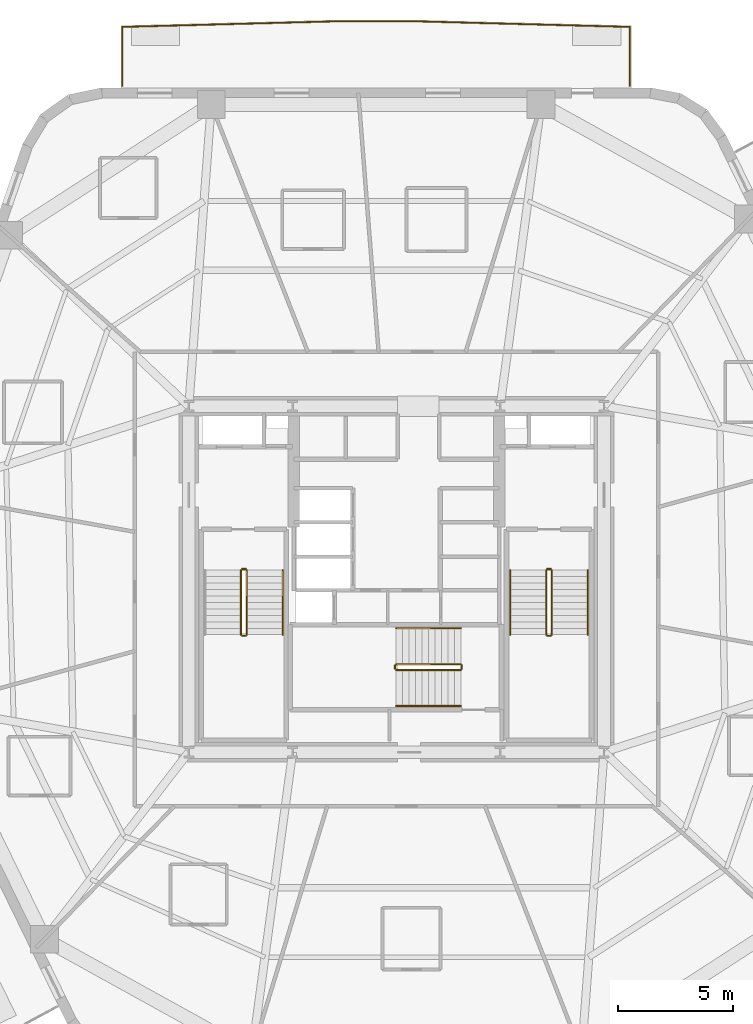
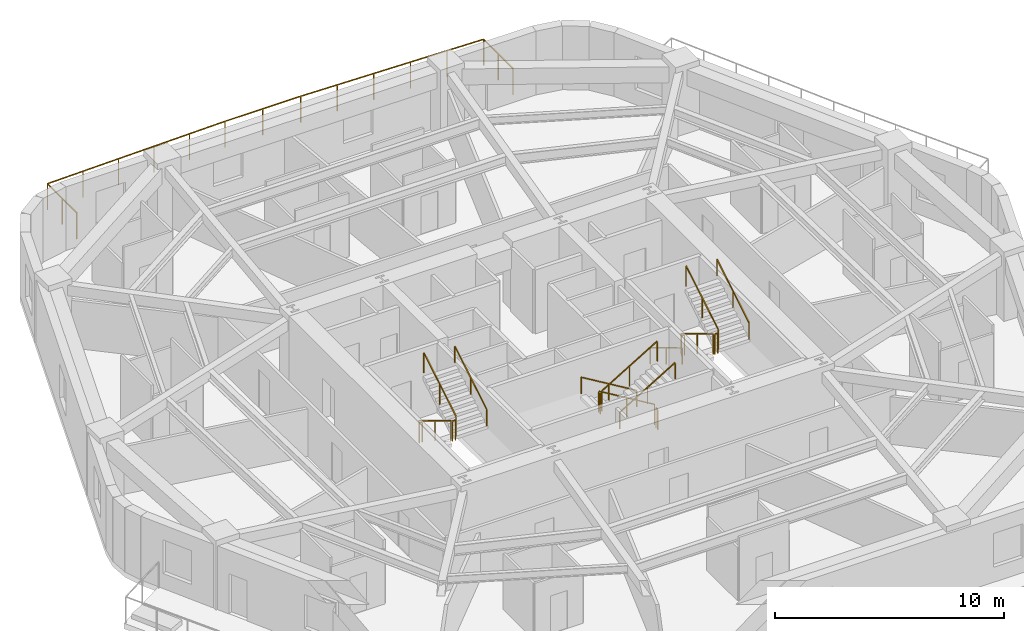
# One storey, part 8 of 9: 18 railings.
"""IFC4 building model written with IfcOpenShell, lengths in metres."""

from ifc_helpers import new_model, si_unit, direction, frame, origin, origin_2d, place, context, subcontext, project, spatial, rectangle, extrude, material, layer, layer_set, type_object, element, save


model = new_model("IFC4")

# Units and contexts
model_context = context("Model", 3, precision=1e-05, world=origin(), true_north=direction((0.0, 1.0)))
body_context = subcontext(model_context, "Body", "Model", "MODEL_VIEW")
ifc_project = project(units=[si_unit("LENGTHUNIT", "METRE"), si_unit("AREAUNIT", "SQUARE_METRE"), si_unit("VOLUMEUNIT", "CUBIC_METRE"), si_unit("PLANEANGLEUNIT", "RADIAN"), si_unit("MASSUNIT", "GRAM", prefix="KILO")], contexts=[model_context])

# Site, building, storey
site_placement = place(None, origin())
site = spatial("IfcSite", under=ifc_project, at=site_placement, CompositionType="ELEMENT")
building_placement = place(site_placement, origin())
building = spatial("IfcBuilding", under=site, at=building_placement, Name="Kilnhurst Terrace Hotel", CompositionType="ELEMENT")
storey_placement = place(building_placement, frame((0.0, 0.0, 124.699951171875)))
storey = spatial("IfcBuildingStorey", under=building, at=storey_placement, Name="L30", CompositionType="ELEMENT", Elevation=124.699951171875)

# Railings
ifc_material_1 = material(Name="Laminated SentryGlas and Stainless Steel AISI 316L Balustrade", Category="steel")
ifc_layer_1 = layer(ifc_material_1, 0.070068359375, Name="Laminated SentryGlas and Stainless Steel AISI 316L Balustrade")
ifc_layer_set_1 = layer_set([ifc_layer_1], Name="Laminated SentryGlas and Stainless Steel AISI 316L Balustrade")
railing_type_1 = type_object("IfcRailingType", Name="RLG-BAL-1420", PredefinedType="BALUSTRADE", material=ifc_layer_set_1)
railing_1_placement = place(storey_placement, frame((-11.8837890625, 21.3798828125, 0.0)))
element("IfcRailing", 1, at=railing_1_placement, inside=storey, type_object=railing_type_1, Name="L30 Exterior Terrace Guardrail BAL-L1B.1", PredefinedType="BALUSTRADE", context=body_context, shape_type="SweptSolid", body=[
    extrude(rectangle(XDim=0.048095703125, YDim=0.048095703125, at=origin_2d()), frame((0.0, 0.0, 1.39599609375), z_axis=(0.0, 1.0, 0.0), x_axis=(-1.0, 0.0, 0.0)), (0.0, 0.0, 1.0), 2.561767578125),
    extrude(rectangle(XDim=0.048095703125, YDim=0.048095703125, at=origin_2d()), frame((0.0, 2.561767578125, 1.39599609375), z_axis=(0.999657105501, 0.026185328367, 0.0), x_axis=(-0.026185328367, 0.999657105501, 0.0)), (0.0, 0.0, 1.0), 9.099853515625),
    extrude(rectangle(XDim=0.048095703125, YDim=0.048095703125, at=origin_2d()), frame((9.0966796875, 2.800048828125, 1.39599609375), z_axis=(1.0, 0.0, 0.0), x_axis=(0.0, 1.0, 0.0)), (0.0, 0.0, 1.0), 3.8134765625),
    extrude(rectangle(XDim=0.048095703125, YDim=0.048095703125, at=origin_2d()), frame((12.91015625, 2.800048828125, 1.39599609375), z_axis=(0.999657105501, -0.026185328367, 0.0), x_axis=(0.026185328367, 0.999657105501, 0.0)), (0.0, 0.0, 1.0), 9.099853515625),
    extrude(rectangle(XDim=0.048095703125, YDim=0.048095703125, at=origin_2d()), frame((22.0068359375, 2.561767578125, 1.39599609375), z_axis=(0.0, -1.0, 0.0), x_axis=(1.0, 0.0, 0.0)), (0.0, 0.0, 1.0), 2.561767578125),
    extrude(rectangle(XDim=0.0419921875, YDim=0.0419921875, at=origin_2d()), origin(), (0.0, 0.0, 1.0), 1.371826171875),
    extrude(rectangle(XDim=0.0419921875, YDim=0.0419921875, at=origin_2d()), frame((0.0, 1.28076171875, 0.0)), (0.0, 0.0, 1.0), 1.371826171875),
    extrude(rectangle(XDim=0.0419921875, YDim=0.0419921875, at=origin_2d()), frame((0.0, 2.561767578125, 0.0)), (0.0, 0.0, 1.0), 1.371826171875),
    extrude(rectangle(XDim=0.0419921875, YDim=0.0419921875, at=origin_2d()), frame((1.8193359375, 2.609375, 0.0)), (0.0, 0.0, 1.0), 1.371826171875),
    extrude(rectangle(XDim=0.0419921875, YDim=0.0419921875, at=origin_2d()), frame((3.638671875, 2.656982421875, 0.0)), (0.0, 0.0, 1.0), 1.371826171875),
    extrude(rectangle(XDim=0.0419921875, YDim=0.0419921875, at=origin_2d()), frame((5.4580078125, 2.704833984375, 0.0)), (0.0, 0.0, 1.0), 1.371826171875),
    extrude(rectangle(XDim=0.0419921875, YDim=0.0419921875, at=origin_2d()), frame((7.27734375, 2.75244140625, 0.0)), (0.0, 0.0, 1.0), 1.371826171875),
    extrude(rectangle(XDim=0.0419921875, YDim=0.0419921875, at=origin_2d()), frame((9.0966796875, 2.800048828125, 0.0)), (0.0, 0.0, 1.0), 1.371826171875),
    extrude(rectangle(XDim=0.0419921875, YDim=0.0419921875, at=origin_2d()), frame((11.00341796875, 2.800048828125, 0.0)), (0.0, 0.0, 1.0), 1.371826171875),
    extrude(rectangle(XDim=0.0419921875, YDim=0.0419921875, at=origin_2d()), frame((12.91015625, 2.800048828125, 0.0)), (0.0, 0.0, 1.0), 1.371826171875),
    extrude(rectangle(XDim=0.0419921875, YDim=0.0419921875, at=origin_2d()), frame((14.7294921875, 2.75244140625, 0.0)), (0.0, 0.0, 1.0), 1.371826171875),
    extrude(rectangle(XDim=0.0419921875, YDim=0.0419921875, at=origin_2d()), frame((16.548828125, 2.704833984375, 0.0)), (0.0, 0.0, 1.0), 1.371826171875),
    extrude(rectangle(XDim=0.0419921875, YDim=0.0419921875, at=origin_2d()), frame((18.3681640625, 2.656982421875, 0.0)), (0.0, 0.0, 1.0), 1.371826171875),
    extrude(rectangle(XDim=0.0419921875, YDim=0.0419921875, at=origin_2d()), frame((20.1875, 2.609375, 0.0)), (0.0, 0.0, 1.0), 1.371826171875),
    extrude(rectangle(XDim=0.0419921875, YDim=0.0419921875, at=origin_2d()), frame((22.0068359375, 2.561767578125, 0.0)), (0.0, 0.0, 1.0), 1.371826171875),
    extrude(rectangle(XDim=0.0419921875, YDim=0.0419921875, at=origin_2d()), frame((22.0068359375, 1.28076171875, 0.0)), (0.0, 0.0, 1.0), 1.371826171875),
    extrude(rectangle(XDim=0.0419921875, YDim=0.0419921875, at=origin_2d()), frame((22.0068359375, 0.0, 0.0)), (0.0, 0.0, 1.0), 1.371826171875),
])
ifc_material_2 = material(Name="Powder-Coated Steel ASTM A500 Grade B", Category="steel")
ifc_layer_2 = layer(ifc_material_2, 0.050048828125, Name="Powder-Coated Steel ASTM A500 Grade B")
ifc_layer_set_2 = layer_set([ifc_layer_2], Name="Powder-Coated Steel ASTM A500 Grade B")
railing_type_2 = type_object("IfcRailingType", Name="RLG-ST-GRD-1100", PredefinedType="GUARDRAIL", material=ifc_layer_set_2)
railing_2_placement = place(storey_placement, frame((-6.739990234375, 0.389892578125, 0.168212890625)))
element("IfcRailing", 2, at=railing_2_placement, inside=storey, type_object=railing_type_2, Name="L30 ST-1 stair guard 1", PredefinedType="GUARDRAIL", context=body_context, shape_type="SweptSolid", body=[
    extrude(rectangle(XDim=0.048095703125, YDim=0.048095703125, at=origin_2d()), frame((0.0, 0.0, 1.076171875), z_axis=(0.0, -0.857222391501, 0.514946377315), x_axis=(1.0, 0.0, 0.0)), (0.0, 0.0, 1.0), 3.26611328125),
    extrude(rectangle(XDim=0.0419921875, YDim=0.0419921875, at=origin_2d()), origin(), (0.0, 0.0, 1.0), 1.052001953125),
    extrude(rectangle(XDim=0.0419921875, YDim=0.0419921875, at=origin_2d()), frame((0.0, -1.39990234375, 0.8408203125)), (0.0, 0.0, 1.0), 1.052001953125),
    extrude(rectangle(XDim=0.0419921875, YDim=0.0419921875, at=origin_2d()), frame((0.0, -2.7998046875, 1.681884765625)), (0.0, 0.0, 1.0), 1.052001953125),
])
railing_3_placement = place(storey_placement, frame((-6.68994140625, -2.4599609375, 1.85009765625)))
element("IfcRailing", 3, at=railing_3_placement, inside=storey, type_object=railing_type_2, Name="L30 ST-1 stair guard 2", PredefinedType="GUARDRAIL", context=body_context, shape_type="SweptSolid", body=[
    extrude(rectangle(XDim=0.048095703125, YDim=0.048095703125, at=origin_2d()), frame((0.0, 0.0, 1.076171875), z_axis=(1.0, 0.0, 0.0), x_axis=(0.0, 1.0, 0.0)), (0.0, 0.0, 1.0), 0.14990234375),
    extrude(rectangle(XDim=0.0419921875, YDim=0.0419921875, at=origin_2d()), origin(), (0.0, 0.0, 1.0), 1.052001953125),
    extrude(rectangle(XDim=0.0419921875, YDim=0.0419921875, at=origin_2d()), frame((0.14990234375, 0.0, 0.0)), (0.0, 0.0, 1.0), 1.052001953125),
])
railing_4_placement = place(storey_placement, frame((-6.489990234375, -2.409912109375, 2.018310546875)))
element("IfcRailing", 4, at=railing_4_placement, inside=storey, type_object=railing_type_2, Name="L30 ST-1 stair guard 3", PredefinedType="GUARDRAIL", context=body_context, shape_type="SweptSolid", body=[
    extrude(rectangle(XDim=0.048095703125, YDim=0.048095703125, at=origin_2d()), frame((0.0, 0.0, 1.076171875), z_axis=(0.0, 0.857255387014, 0.514891446264), x_axis=(-1.0, 0.0, 0.0)), (0.0, 0.0, 1.0), 3.26611328125),
    extrude(rectangle(XDim=0.0419921875, YDim=0.0419921875, at=origin_2d()), origin(), (0.0, 0.0, 1.0), 1.052001953125),
    extrude(rectangle(XDim=0.0419921875, YDim=0.0419921875, at=origin_2d()), frame((0.0, 1.39990234375, 0.8408203125)), (0.0, 0.0, 1.0), 1.052001953125),
    extrude(rectangle(XDim=0.0419921875, YDim=0.0419921875, at=origin_2d()), frame((0.0, 2.7998046875, 1.681640625)), (0.0, 0.0, 1.0), 1.052001953125),
])
railing_5_placement = place(storey_placement, frame((-6.68994140625, 0.43994140625, 0.0)))
element("IfcRailing", 5, at=railing_5_placement, inside=storey, type_object=railing_type_2, Name="L30 ST-1 stair guard 4", PredefinedType="GUARDRAIL", context=body_context, shape_type="SweptSolid", body=[
    extrude(rectangle(XDim=0.048095703125, YDim=0.048095703125, at=origin_2d()), frame((0.0, 0.0, 1.076171875), z_axis=(1.0, 0.0, 0.0), x_axis=(0.0, 1.0, 0.0)), (0.0, 0.0, 1.0), 0.14990234375),
    extrude(rectangle(XDim=0.0419921875, YDim=0.0419921875, at=origin_2d()), origin(), (0.0, 0.0, 1.0), 1.052001953125),
    extrude(rectangle(XDim=0.0419921875, YDim=0.0419921875, at=origin_2d()), frame((0.14990234375, 0.0, 0.0)), (0.0, 0.0, 1.0), 1.052001953125),
])
railing_6_placement = place(storey_placement, frame((6.489990234375, 0.389892578125, 0.168212890625)))
element("IfcRailing", 6, at=railing_6_placement, inside=storey, type_object=railing_type_2, Name="L30 ST-2 stair guard 1", PredefinedType="GUARDRAIL", context=body_context, shape_type="SweptSolid", body=[
    extrude(rectangle(XDim=0.048095703125, YDim=0.048095703125, at=origin_2d()), frame((0.0, 0.0, 1.076171875), z_axis=(0.0, -0.857222391501, 0.514946377315), x_axis=(1.0, 0.0, 0.0)), (0.0, 0.0, 1.0), 3.26611328125),
    extrude(rectangle(XDim=0.0419921875, YDim=0.0419921875, at=origin_2d()), origin(), (0.0, 0.0, 1.0), 1.052001953125),
    extrude(rectangle(XDim=0.0419921875, YDim=0.0419921875, at=origin_2d()), frame((0.0, -1.39990234375, 0.8408203125)), (0.0, 0.0, 1.0), 1.052001953125),
    extrude(rectangle(XDim=0.0419921875, YDim=0.0419921875, at=origin_2d()), frame((0.0, -2.7998046875, 1.681884765625)), (0.0, 0.0, 1.0), 1.052001953125),
])
railing_7_placement = place(storey_placement, frame((6.5400390625, -2.4599609375, 1.85009765625)))
element("IfcRailing", 7, at=railing_7_placement, inside=storey, type_object=railing_type_2, Name="L30 ST-2 stair guard 2", PredefinedType="GUARDRAIL", context=body_context, shape_type="SweptSolid", body=[
    extrude(rectangle(XDim=0.048095703125, YDim=0.048095703125, at=origin_2d()), frame((0.0, 0.0, 1.076171875), z_axis=(1.0, 0.0, 0.0), x_axis=(0.0, 1.0, 0.0)), (0.0, 0.0, 1.0), 0.14990234375),
    extrude(rectangle(XDim=0.0419921875, YDim=0.0419921875, at=origin_2d()), origin(), (0.0, 0.0, 1.0), 1.052001953125),
    extrude(rectangle(XDim=0.0419921875, YDim=0.0419921875, at=origin_2d()), frame((0.14990234375, 0.0, 0.0)), (0.0, 0.0, 1.0), 1.052001953125),
])
railing_8_placement = place(storey_placement, frame((6.739990234375, -2.409912109375, 2.018310546875)))
element("IfcRailing", 8, at=railing_8_placement, inside=storey, type_object=railing_type_2, Name="L30 ST-2 stair guard 3", PredefinedType="GUARDRAIL", context=body_context, shape_type="SweptSolid", body=[
    extrude(rectangle(XDim=0.048095703125, YDim=0.048095703125, at=origin_2d()), frame((0.0, 0.0, 1.076171875), z_axis=(0.0, 0.857255387014, 0.514891446264), x_axis=(-1.0, 0.0, 0.0)), (0.0, 0.0, 1.0), 3.26611328125),
    extrude(rectangle(XDim=0.0419921875, YDim=0.0419921875, at=origin_2d()), origin(), (0.0, 0.0, 1.0), 1.052001953125),
    extrude(rectangle(XDim=0.0419921875, YDim=0.0419921875, at=origin_2d()), frame((0.0, 1.39990234375, 0.8408203125)), (0.0, 0.0, 1.0), 1.052001953125),
    extrude(rectangle(XDim=0.0419921875, YDim=0.0419921875, at=origin_2d()), frame((0.0, 2.7998046875, 1.681640625)), (0.0, 0.0, 1.0), 1.052001953125),
])
railing_9_placement = place(storey_placement, frame((6.5400390625, 0.43994140625, 0.0)))
element("IfcRailing", 9, at=railing_9_placement, inside=storey, type_object=railing_type_2, Name="L30 ST-2 stair guard 4", PredefinedType="GUARDRAIL", context=body_context, shape_type="SweptSolid", body=[
    extrude(rectangle(XDim=0.048095703125, YDim=0.048095703125, at=origin_2d()), frame((0.0, 0.0, 1.076171875), z_axis=(1.0, 0.0, 0.0), x_axis=(0.0, 1.0, 0.0)), (0.0, 0.0, 1.0), 0.14990234375),
    extrude(rectangle(XDim=0.0419921875, YDim=0.0419921875, at=origin_2d()), origin(), (0.0, 0.0, 1.0), 1.052001953125),
    extrude(rectangle(XDim=0.0419921875, YDim=0.0419921875, at=origin_2d()), frame((0.14990234375, 0.0, 0.0)), (0.0, 0.0, 1.0), 1.052001953125),
])
railing_10_placement = place(storey_placement, frame((2.7900390625, -3.68994140625, 0.168212890625)))
element("IfcRailing", 10, at=railing_10_placement, inside=storey, type_object=railing_type_2, Name="L30 ST-3 stair guard 1", PredefinedType="GUARDRAIL", context=body_context, shape_type="SweptSolid", body=[
    extrude(rectangle(XDim=0.048095703125, YDim=0.048095703125, at=origin_2d()), frame((0.0, 0.0, 1.076171875), z_axis=(-0.857242210791, 0.0, 0.514913383045), x_axis=(0.0, -1.0, 0.0)), (0.0, 0.0, 1.0), 3.266357421875),
    extrude(rectangle(XDim=0.0419921875, YDim=0.0419921875, at=origin_2d()), origin(), (0.0, 0.0, 1.0), 1.052001953125),
    extrude(rectangle(XDim=0.0419921875, YDim=0.0419921875, at=origin_2d()), frame((-1.39990234375, 0.0, 0.8408203125)), (0.0, 0.0, 1.0), 1.052001953125),
    extrude(rectangle(XDim=0.0419921875, YDim=0.0419921875, at=origin_2d()), frame((-2.800048828125, 0.0, 1.681884765625)), (0.0, 0.0, 1.0), 1.052001953125),
])
railing_11_placement = place(storey_placement, frame((-0.06005859375, -3.739990234375, 1.85009765625)))
element("IfcRailing", 11, at=railing_11_placement, inside=storey, type_object=railing_type_2, Name="L30 ST-3 stair guard 2", PredefinedType="GUARDRAIL", context=body_context, shape_type="SweptSolid", body=[
    extrude(rectangle(XDim=0.048095703125, YDim=0.048095703125, at=origin_2d()), frame((0.0, 0.0, 1.076171875), z_axis=(0.0, -1.0, 0.0), x_axis=(1.0, 0.0, 0.0)), (0.0, 0.0, 1.0), 0.14990234375),
    extrude(rectangle(XDim=0.0419921875, YDim=0.0419921875, at=origin_2d()), origin(), (0.0, 0.0, 1.0), 1.052001953125),
    extrude(rectangle(XDim=0.0419921875, YDim=0.0419921875, at=origin_2d()), frame((0.0, -0.14990234375, 0.0)), (0.0, 0.0, 1.0), 1.052001953125),
])
railing_12_placement = place(storey_placement, frame((-0.010009765625, -3.93994140625, 2.018310546875)))
element("IfcRailing", 12, at=railing_12_placement, inside=storey, type_object=railing_type_2, Name="L30 ST-3 stair guard 3", PredefinedType="GUARDRAIL", context=body_context, shape_type="SweptSolid", body=[
    extrude(rectangle(XDim=0.048095703125, YDim=0.048095703125, at=origin_2d()), frame((0.0, 0.0, 1.076171875), z_axis=(0.857275202839, 0.0, 0.514858452973), x_axis=(0.0, 1.0, 0.0)), (0.0, 0.0, 1.0), 3.26611328125),
    extrude(rectangle(XDim=0.0419921875, YDim=0.0419921875, at=origin_2d()), origin(), (0.0, 0.0, 1.0), 1.052001953125),
    extrude(rectangle(XDim=0.0419921875, YDim=0.0419921875, at=origin_2d()), frame((1.39990234375, 0.0, 0.8408203125)), (0.0, 0.0, 1.0), 1.052001953125),
    extrude(rectangle(XDim=0.0419921875, YDim=0.0419921875, at=origin_2d()), frame((2.800048828125, 0.0, 1.681640625)), (0.0, 0.0, 1.0), 1.052001953125),
])
railing_13_placement = place(storey_placement, frame((2.840087890625, -3.739990234375, 0.0)))
element("IfcRailing", 13, at=railing_13_placement, inside=storey, type_object=railing_type_2, Name="L30 ST-3 stair guard 4", PredefinedType="GUARDRAIL", context=body_context, shape_type="SweptSolid", body=[
    extrude(rectangle(XDim=0.048095703125, YDim=0.048095703125, at=origin_2d()), frame((0.0, 0.0, 1.076171875), z_axis=(0.0, -1.0, 0.0), x_axis=(1.0, 0.0, 0.0)), (0.0, 0.0, 1.0), 0.14990234375),
    extrude(rectangle(XDim=0.0419921875, YDim=0.0419921875, at=origin_2d()), origin(), (0.0, 0.0, 1.0), 1.052001953125),
    extrude(rectangle(XDim=0.0419921875, YDim=0.0419921875, at=origin_2d()), frame((0.0, -0.14990234375, 0.0)), (0.0, 0.0, 1.0), 1.052001953125),
])
ifc_material_3 = material(Name="Brushed Stainless Steel AISI 304", Category="steel")
ifc_layer_3 = layer(ifc_material_3, 0.048095703125, Name="Brushed Stainless Steel AISI 304")
ifc_layer_set_3 = layer_set([ifc_layer_3], Name="Brushed Stainless Steel AISI 304")
railing_type_3 = type_object("IfcRailingType", Name="RLG-ST-HRL-900", PredefinedType="HANDRAIL", material=ifc_layer_set_3)
railing_14_placement = place(storey_placement, frame((-4.929931640625, -2.409912109375, 2.018310546875)))
element("IfcRailing", 14, at=railing_14_placement, inside=storey, type_object=railing_type_3, Name="L30 ST-1 stair handrail 2", PredefinedType="HANDRAIL", context=body_context, shape_type="SweptSolid", body=[
    extrude(rectangle(XDim=0.048095703125, YDim=0.048095703125, at=origin_2d()), frame((0.0, 0.0, 0.8759765625), z_axis=(0.0, 0.857255387014, 0.514891446264), x_axis=(-1.0, 0.0, 0.0)), (0.0, 0.0, 1.0), 3.26611328125),
    extrude(rectangle(XDim=0.0419921875, YDim=0.0419921875, at=origin_2d()), origin(), (0.0, 0.0, 1.0), 0.851806640625),
    extrude(rectangle(XDim=0.0419921875, YDim=0.0419921875, at=origin_2d()), frame((0.0, 1.39990234375, 0.8408203125)), (0.0, 0.0, 1.0), 0.851806640625),
    extrude(rectangle(XDim=0.0419921875, YDim=0.0419921875, at=origin_2d()), frame((0.0, 2.7998046875, 1.681640625)), (0.0, 0.0, 1.0), 0.851806640625),
])
railing_15_placement = place(storey_placement, frame((4.929931640625, 0.389892578125, 0.168212890625)))
element("IfcRailing", 15, at=railing_15_placement, inside=storey, type_object=railing_type_3, Name="L30 ST-2 stair handrail 1", PredefinedType="HANDRAIL", context=body_context, shape_type="SweptSolid", body=[
    extrude(rectangle(XDim=0.048095703125, YDim=0.048095703125, at=origin_2d()), frame((0.0, 0.0, 0.8759765625), z_axis=(0.0, -0.857222391501, 0.514946377315), x_axis=(1.0, 0.0, 0.0)), (0.0, 0.0, 1.0), 3.26611328125),
    extrude(rectangle(XDim=0.0419921875, YDim=0.0419921875, at=origin_2d()), origin(), (0.0, 0.0, 1.0), 0.851806640625),
    extrude(rectangle(XDim=0.0419921875, YDim=0.0419921875, at=origin_2d()), frame((0.0, -1.39990234375, 0.8408203125)), (0.0, 0.0, 1.0), 0.851806640625),
    extrude(rectangle(XDim=0.0419921875, YDim=0.0419921875, at=origin_2d()), frame((0.0, -2.7998046875, 1.681884765625)), (0.0, 0.0, 1.0), 0.851806640625),
])
railing_16_placement = place(storey_placement, frame((8.300048828125, -2.409912109375, 2.018310546875)))
element("IfcRailing", 16, at=railing_16_placement, inside=storey, type_object=railing_type_3, Name="L30 ST-2 stair handrail 2", PredefinedType="HANDRAIL", context=body_context, shape_type="SweptSolid", body=[
    extrude(rectangle(XDim=0.048095703125, YDim=0.048095703125, at=origin_2d()), frame((0.0, 0.0, 0.8759765625), z_axis=(0.0, 0.857255387014, 0.514891446264), x_axis=(-1.0, 0.0, 0.0)), (0.0, 0.0, 1.0), 3.26611328125),
    extrude(rectangle(XDim=0.0419921875, YDim=0.0419921875, at=origin_2d()), origin(), (0.0, 0.0, 1.0), 0.851806640625),
    extrude(rectangle(XDim=0.0419921875, YDim=0.0419921875, at=origin_2d()), frame((0.0, 1.39990234375, 0.8408203125)), (0.0, 0.0, 1.0), 0.851806640625),
    extrude(rectangle(XDim=0.0419921875, YDim=0.0419921875, at=origin_2d()), frame((0.0, 2.7998046875, 1.681640625)), (0.0, 0.0, 1.0), 0.851806640625),
])
railing_17_placement = place(storey_placement, frame((2.7900390625, -2.1298828125, 0.168212890625)))
element("IfcRailing", 17, at=railing_17_placement, inside=storey, type_object=railing_type_3, Name="L30 ST-3 stair handrail 1", PredefinedType="HANDRAIL", context=body_context, shape_type="SweptSolid", body=[
    extrude(rectangle(XDim=0.048095703125, YDim=0.048095703125, at=origin_2d()), frame((0.0, 0.0, 0.8759765625), z_axis=(-0.857242210791, 0.0, 0.514913383045), x_axis=(0.0, -1.0, 0.0)), (0.0, 0.0, 1.0), 3.266357421875),
    extrude(rectangle(XDim=0.0419921875, YDim=0.0419921875, at=origin_2d()), origin(), (0.0, 0.0, 1.0), 0.851806640625),
    extrude(rectangle(XDim=0.0419921875, YDim=0.0419921875, at=origin_2d()), frame((-1.39990234375, 0.0, 0.8408203125)), (0.0, 0.0, 1.0), 0.851806640625),
    extrude(rectangle(XDim=0.0419921875, YDim=0.0419921875, at=origin_2d()), frame((-2.800048828125, 0.0, 1.681884765625)), (0.0, 0.0, 1.0), 0.851806640625),
])
railing_18_placement = place(storey_placement, frame((-0.010009765625, -5.5, 2.018310546875)))
element("IfcRailing", 18, at=railing_18_placement, inside=storey, type_object=railing_type_3, Name="L30 ST-3 stair handrail 2", PredefinedType="HANDRAIL", context=body_context, shape_type="SweptSolid", body=[
    extrude(rectangle(XDim=0.048095703125, YDim=0.048095703125, at=origin_2d()), frame((0.0, 0.0, 0.8759765625), z_axis=(0.857275202839, 0.0, 0.514858452973), x_axis=(0.0, 1.0, 0.0)), (0.0, 0.0, 1.0), 3.26611328125),
    extrude(rectangle(XDim=0.0419921875, YDim=0.0419921875, at=origin_2d()), origin(), (0.0, 0.0, 1.0), 0.851806640625),
    extrude(rectangle(XDim=0.0419921875, YDim=0.0419921875, at=origin_2d()), frame((1.39990234375, 0.0, 0.8408203125)), (0.0, 0.0, 1.0), 0.851806640625),
    extrude(rectangle(XDim=0.0419921875, YDim=0.0419921875, at=origin_2d()), frame((2.800048828125, 0.0, 1.681640625)), (0.0, 0.0, 1.0), 0.851806640625),
])

save(model, "model.ifc")
